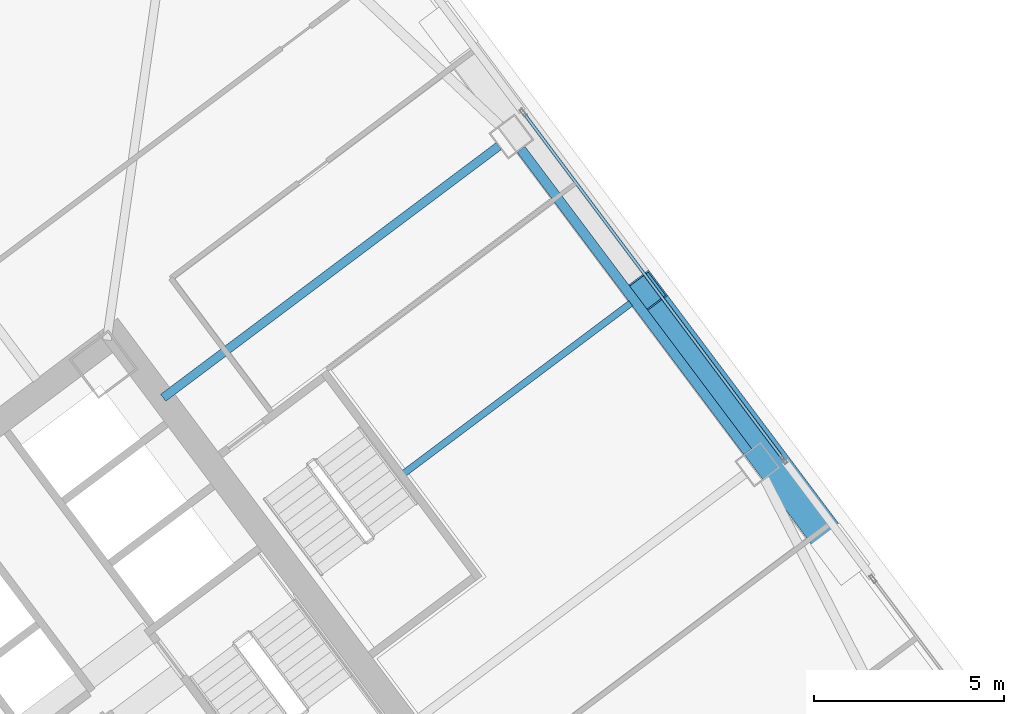
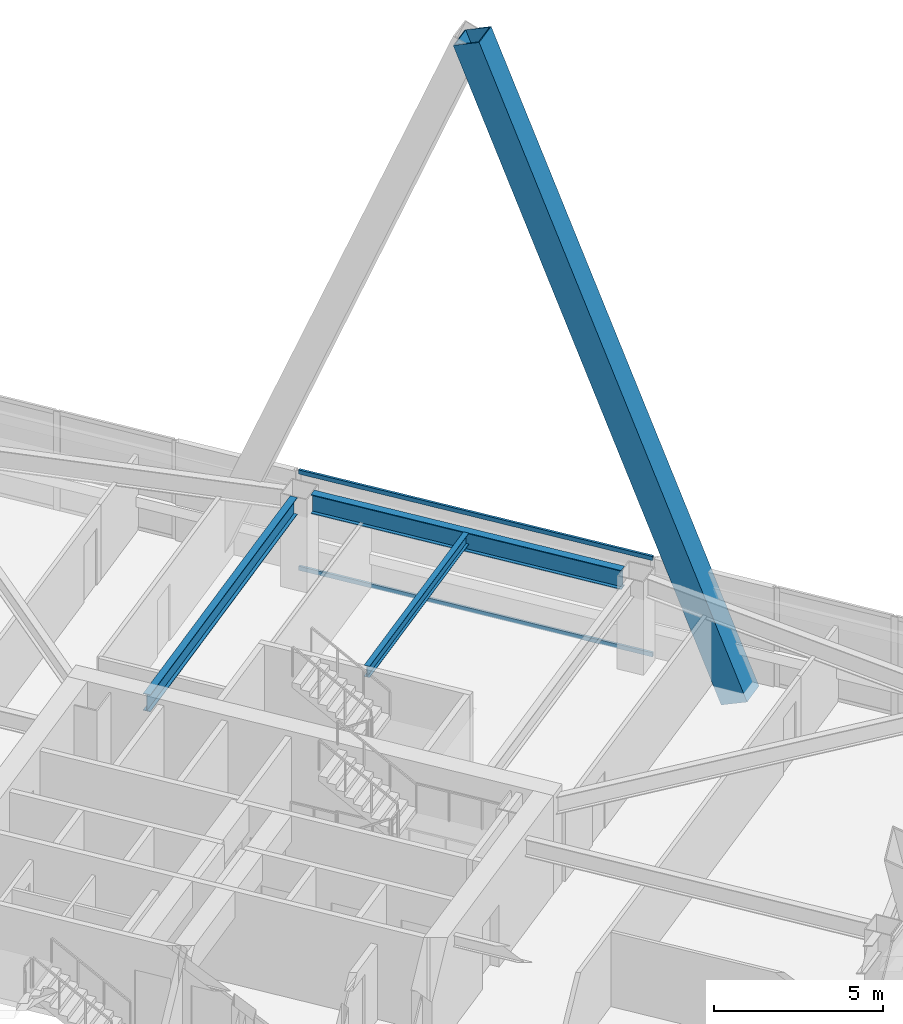
# One storey, part 36 of 54: 3 beams, 3 members, 1 element without a shape of its own.
"""IFC4 building model written with IfcOpenShell, lengths in metres."""

from ifc_helpers import new_model, si_unit, direction, frame, origin, origin_2d, place, context, subcontext, project, spatial, hollow_rectangle, i_section, extrude, material, material_profile, profile_set, type_object, element, aggregate, save


model = new_model("IFC4")

# Units and contexts
model_context = context("Model", 3, precision=1e-05, world=origin(), true_north=direction((0.0, 1.0)))
body_context = subcontext(model_context, "Body", "Model", "MODEL_VIEW")
ifc_project = project(units=[si_unit("LENGTHUNIT", "METRE"), si_unit("AREAUNIT", "SQUARE_METRE"), si_unit("VOLUMEUNIT", "CUBIC_METRE"), si_unit("PLANEANGLEUNIT", "RADIAN"), si_unit("MASSUNIT", "GRAM", prefix="KILO")], contexts=[model_context])

# Site, building, storey
site_placement = place(None, origin())
site = spatial("IfcSite", under=ifc_project, at=site_placement, CompositionType="ELEMENT")
building_placement = place(site_placement, origin())
building = spatial("IfcBuilding", under=site, at=building_placement, Name="Tashvorn Skyway Center", CompositionType="ELEMENT")
storey_placement = place(building_placement, frame((0.0, 0.0, 88.5)))
storey = spatial("IfcBuildingStorey", under=building, at=storey_placement, Name="L23", CompositionType="ELEMENT", Elevation=88.5)

# Beams
ifc_material_1 = material(Name="Steel ASTM A992 Grade 50", Category="steel")
ifc_material_profile_1 = material_profile(ifc_material_1, i_section(OverallWidth=0.22998046875, OverallDepth=0.616943359375, WebThickness=0.01318359375, FlangeThickness=0.022216796875, at=origin_2d()), Name="W24X94")
ifc_profile_set_1 = profile_set([ifc_material_profile_1], Name="Steel ASTM A992 Grade 50")
beam_type_1 = type_object("IfcBeamType", Name="BM-BEAM-W24X94", PredefinedType="BEAM", material=ifc_profile_set_1)
beam_1_placement = place(storey_placement, frame((125.823974609375, 47.617919921875, 3.04150390625), z_axis=(-0.800007953832, -0.599989394744, 0.0), x_axis=(0.599989394744, -0.800007953832, 0.0)))
element("IfcBeam", 1, at=beam_1_placement, inside=storey, type_object=beam_type_1, Name="Tower 2 L23 Primary Floor Girder FC-E2", PredefinedType="BEAM", context=body_context, shape_type="SweptSolid", body=[
    extrude(i_section(OverallWidth=0.22998046875, OverallDepth=0.616943359375, WebThickness=0.01318359375, FlangeThickness=0.022216796875, at=origin_2d()), origin(), (0.0, 0.0, 1.0), 11.050048828125),
])
ifc_material_profile_2 = material_profile(ifc_material_1, i_section(OverallWidth=0.177978515625, OverallDepth=0.406005859375, WebThickness=0.0078125, FlangeThickness=0.0126953125, at=origin_2d()), Name="W16X40")
ifc_profile_set_2 = profile_set([ifc_material_profile_2], Name="Steel ASTM A992 Grade 50")
beam_type_2 = type_object("IfcBeamType", Name="BM-JOIST-W16X40", PredefinedType="JOIST", material=ifc_profile_set_2)
beam_2_placement = place(storey_placement, frame((123.3359375, 39.001953125, 3.14697265625), z_axis=(0.799996072819, 0.600005236206, 0.0), x_axis=(-0.600005236206, 0.799996072819, 0.0)))
element("IfcBeam", 2, at=beam_2_placement, inside=storey, type_object=beam_type_2, Name="Tower 2 L23 Secondary Composite Joist JE", PredefinedType="JOIST", context=body_context, shape_type="SweptSolid", body=[
    extrude(i_section(OverallWidth=0.177978515625, OverallDepth=0.406005859375, WebThickness=0.0078125, FlangeThickness=0.0126953125, at=origin_2d()), origin(), (0.0, 0.0, 1.0), 7.4599609375),
])
ifc_material_profile_3 = material_profile(ifc_material_1, i_section(OverallWidth=0.256103515625, OverallDepth=0.693115234375, WebThickness=0.014404296875, FlangeThickness=0.023681640625, at=origin_2d()), Name="W27X114")
ifc_profile_set_3 = profile_set([ifc_material_profile_3], Name="Steel ASTM A992 Grade 50")
beam_type_3 = type_object("IfcBeamType", Name="BM-SPANDREL-W27X114", PredefinedType="SPANDREL", material=ifc_profile_set_3)
beam_3_placement = place(storey_placement, frame((132.387939453125, 39.56591796875, 3.00341796875), z_axis=(-0.599988234018, 0.800008824351, 0.0), x_axis=(-0.800008824351, -0.599988234018, 0.0)))
element("IfcBeam", 3, at=beam_3_placement, inside=storey, type_object=beam_type_3, Name="Tower 2 L23 Spandrel Beam 05", PredefinedType="SPANDREL", context=body_context, shape_type="SweptSolid", body=[
    extrude(i_section(OverallWidth=0.256103515625, OverallDepth=0.693115234375, WebThickness=0.014404296875, FlangeThickness=0.023681640625, at=origin_2d()), origin(), (0.0, 0.0, 1.0), 9.9599609375),
])

# Curtain wall, members
ifc_material_2 = material(Name="Thermally broken bronze-anodized aluminium 6063-T6", Category="aluminium")
curtain_wall_type = type_object("IfcCurtainWallType", Name="CW-CW-Z2", PredefinedType="NOTDEFINED", material=ifc_material_2)
curtain_wall_placement = place(storey_placement, origin())
curtain_wall = element("IfcCurtainWall", 4, at=curtain_wall_placement, inside=storey, type_object=curtain_wall_type, Name="Tower 2 L23 East Unitised Curtain Wall Glazing Group 2", PredefinedType="NOTDEFINED")
ifc_material_profile_4 = material_profile(ifc_material_2, hollow_rectangle(XDim=0.080078125, YDim=0.14990234375, WallThickness=0.00439453125, at=origin_2d()), Name="ALU-TRAN-80x150")
ifc_profile_set_4 = profile_set([ifc_material_profile_4], Name="Thermally broken bronze-anodized aluminium 6063-T6")
member_type_1 = type_object("IfcMemberType", Name="CWT-CW-Z2", PredefinedType="USERDEFINED", material=ifc_profile_set_4)
member_1_placement = place(storey_placement, frame((126.49609375, 48.471923828125, 0.0400390625), z_axis=(0.6, -0.8, 0.0), x_axis=(0.8, 0.6, 0.0)))
member_1 = element("IfcMember", 5, at=member_1_placement, type_object=member_type_1, Name="CW-Z2 transom 1.1", ObjectType="TRANSOM", PredefinedType="USERDEFINED", context=body_context, shape_type="SweptSolid", body=[
    extrude(hollow_rectangle(XDim=0.080078125, YDim=0.14990234375, WallThickness=0.00439453125, at=origin_2d()), origin(), (0.0, 0.0, 1.0), 11.35986328125),
])
member_2_placement = place(storey_placement, frame((126.49609375, 48.471923828125, 3.510009765625), z_axis=(0.6, -0.8, 0.0), x_axis=(0.8, 0.6, 0.0)))
member_2 = element("IfcMember", 6, at=member_2_placement, type_object=member_type_1, Name="CW-Z2 transom 1.2", ObjectType="TRANSOM", PredefinedType="USERDEFINED", context=body_context, shape_type="SweptSolid", body=[
    extrude(hollow_rectangle(XDim=0.080078125, YDim=0.14990234375, WallThickness=0.00439453125, at=origin_2d()), origin(), (0.0, 0.0, 1.0), 11.35986328125),
])
aggregate(curtain_wall, [member_1, member_2])

# Member
ifc_material_3 = material(Name="Steel ASTM A572 Grade 50", Category="steel")
ifc_material_profile_5 = material_profile(ifc_material_3, hollow_rectangle(XDim=0.89990234375, YDim=0.89990234375, WallThickness=0.0400390625, at=origin_2d()), Name="BOX900x900x40")
ifc_profile_set_5 = profile_set([ifc_material_profile_5], Name="Steel ASTM A572 Grade 50")
member_type_2 = type_object("IfcMemberType", Name="MEM-MB-900", PredefinedType="BRACE", material=ifc_profile_set_5)
member_3_placement = place(storey_placement, frame((134.823974609375, 36.867919921875, -0.449951171875), z_axis=(-0.223728086207, 0.29831470061, 0.927876113952), x_axis=(-0.800010219666, -0.599986373537, 0.0)))
element("IfcMember", 7, at=member_3_placement, inside=storey, type_object=member_type_2, Name="Tower 2 Zone 2 E Chevron Mega-Brace L2", PredefinedType="BRACE", context=body_context, shape_type="SweptSolid", body=[
    extrude(hollow_rectangle(XDim=0.89990234375, YDim=0.89990234375, WallThickness=0.0400390625, at=origin_2d()), origin(), (0.0, 0.0, 1.0), 23.063232421875),
])

save(model, "model.ifc")
